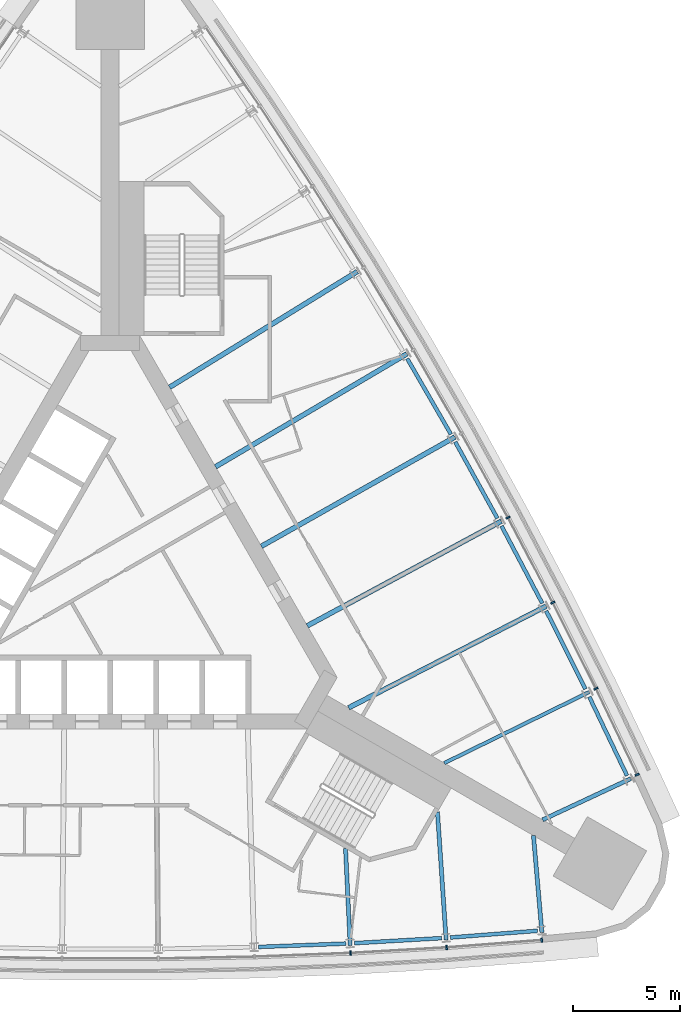
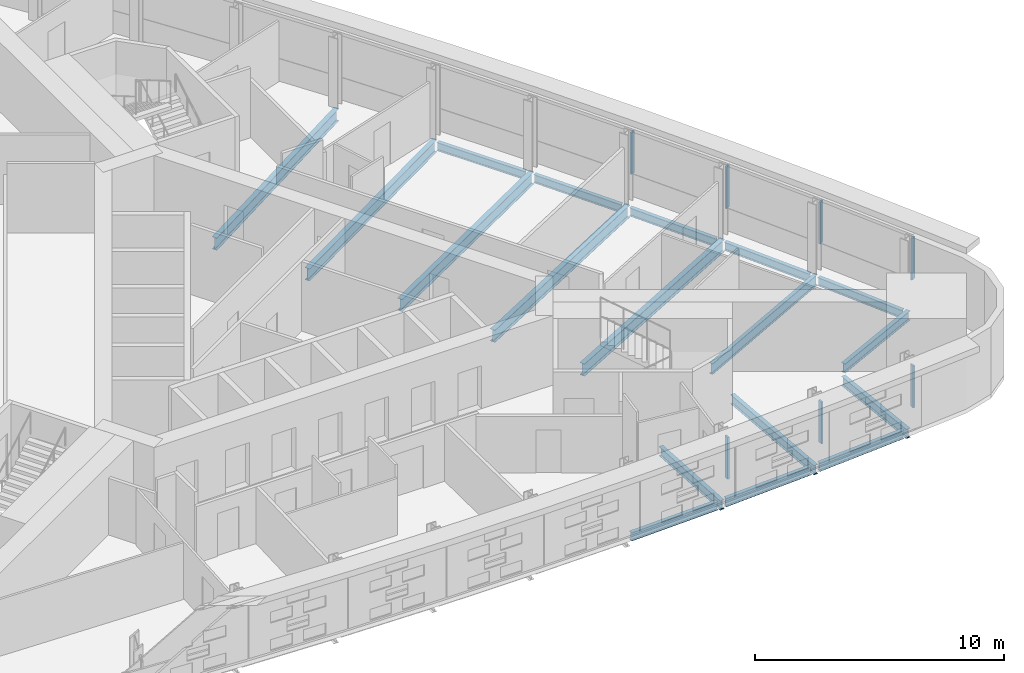
# One storey, part 5 of 14: 18 beams, 7 members, 2 elements without a shape of their own.
"""IFC4 building model written with IfcOpenShell, lengths in metres."""

from ifc_helpers import new_model, si_unit, direction, frame, origin, origin_2d, place, context, subcontext, project, spatial, rectangle, i_section, extrude, material, material_profile, profile_set, type_object, element, aggregate, save


model = new_model("IFC4")

# Units and contexts
model_context = context("Model", 3, precision=1e-05, world=origin(), true_north=direction((0.0, 1.0)))
body_context = subcontext(model_context, "Body", "Model", "MODEL_VIEW")
ifc_project = project(units=[si_unit("LENGTHUNIT", "METRE"), si_unit("AREAUNIT", "SQUARE_METRE"), si_unit("VOLUMEUNIT", "CUBIC_METRE"), si_unit("PLANEANGLEUNIT", "RADIAN"), si_unit("MASSUNIT", "GRAM", prefix="KILO")], contexts=[model_context])

# Site, building, storey
site_placement = place(None, origin())
site = spatial("IfcSite", under=ifc_project, at=site_placement, CompositionType="ELEMENT")
building_placement = place(site_placement, origin())
building = spatial("IfcBuilding", under=site, at=building_placement, Name="Noor Cloister Tower", CompositionType="ELEMENT")
storey_placement = place(building_placement, frame((0.0, 0.0, 72.60009765625)))
storey = spatial("IfcBuildingStorey", under=building, at=storey_placement, Name="L18", CompositionType="ELEMENT", Elevation=72.60009765625)

# Curtain wall, members
ifc_material_1 = material(Name="Aluminium 6063-T6 anodised", Category="aluminium")
curtain_wall_type = type_object("IfcCurtainWallType", Name="Ribbon curtain wall, lower tower CW1", PredefinedType="NOTDEFINED", material=ifc_material_1)
curtain_wall_1_placement = place(storey_placement, origin())
curtain_wall_1 = element("IfcCurtainWall", 1, at=curtain_wall_1_placement, inside=storey, type_object=curtain_wall_type, Name="CW1 L18 S run 2", PredefinedType="NOTDEFINED")
ifc_material_2 = material(Name="Aluminium 6063-T6 anodised", Category="aluminium")
ifc_material_profile_1 = material_profile(ifc_material_2, rectangle(XDim=0.199951171875, YDim=0.080078125, at=origin_2d()), Name="200 x 80 mullion")
ifc_profile_set_1 = profile_set([ifc_material_profile_1], Name="Aluminium 6063-T6 anodised")
member_type = type_object("IfcMemberType", Name="Mullion CW1 80 x 200", PredefinedType="MULLION", material=ifc_profile_set_1)
member_1_placement = place(storey_placement, frame((11.24072265625, -17.407958984375, 1.099853515625), z_axis=(0.0, 0.0, 1.0), x_axis=(-0.048212063221, 0.998837122338, 0.0)))
member_1 = element("IfcMember", 2, at=member_1_placement, type_object=member_type, Name="CW1 mullion 8", PredefinedType="MULLION", context=body_context, shape_type="SweptSolid", body=[
    extrude(rectangle(XDim=0.199951171875, YDim=0.080078125, at=origin_2d()), origin(), (0.0, 0.0, 1.0), 2.050048828125),
])
member_2_placement = place(storey_placement, frame((15.731201171875, -17.14794921875, 1.099853515625), z_axis=(0.0, 0.0, 1.0), x_axis=(-0.067471755101, 0.997721184632, 0.0)))
member_2 = element("IfcMember", 3, at=member_2_placement, type_object=member_type, Name="CW1 mullion 9", PredefinedType="MULLION", context=body_context, shape_type="SweptSolid", body=[
    extrude(rectangle(XDim=0.199951171875, YDim=0.080078125, at=origin_2d()), origin(), (0.0, 0.0, 1.0), 2.050048828125),
])
member_3_placement = place(storey_placement, frame((20.177001953125, -16.80419921875, 1.099853515625), z_axis=(0.0, 0.0, 1.0), x_axis=(-0.077092640523, 0.997023933904, 0.0)))
member_3 = element("IfcMember", 4, at=member_3_placement, type_object=member_type, Name="CW1 mullion 10", PredefinedType="MULLION", context=body_context, shape_type="SweptSolid", body=[
    extrude(rectangle(XDim=0.199951171875, YDim=0.080078125, at=origin_2d()), origin(), (0.0, 0.0, 1.0), 2.050048828125),
])
aggregate(curtain_wall_1, [member_1, member_2, member_3])

curtain_wall_2_placement = place(storey_placement, origin())
curtain_wall_2 = element("IfcCurtainWall", 5, at=curtain_wall_2_placement, inside=storey, type_object=curtain_wall_type, Name="CW1 L18 NE run 3", PredefinedType="NOTDEFINED")
member_4_placement = place(storey_placement, frame((24.641357421875, -9.07177734375, 1.099853515625), z_axis=(0.0, 0.0, 1.0), x_axis=(-0.901994375203, -0.431747781814, 0.0)))
member_4 = element("IfcMember", 6, at=member_4_placement, type_object=member_type, Name="CW1 mullion 1", PredefinedType="MULLION", context=body_context, shape_type="SweptSolid", body=[
    extrude(rectangle(XDim=0.199951171875, YDim=0.080078125, at=origin_2d()), origin(), (0.0, 0.0, 1.0), 2.050048828125),
])
member_5_placement = place(storey_placement, frame((22.716064453125, -5.0498046875, 1.099853515625), z_axis=(0.0, 0.0, 1.0), x_axis=(-0.897787769336, -0.440428338361, 0.0)))
member_5 = element("IfcMember", 7, at=member_5_placement, type_object=member_type, Name="CW1 mullion 2", PredefinedType="MULLION", context=body_context, shape_type="SweptSolid", body=[
    extrude(rectangle(XDim=0.199951171875, YDim=0.080078125, at=origin_2d()), origin(), (0.0, 0.0, 1.0), 2.050048828125),
])
member_6_placement = place(storey_placement, frame((20.6962890625, -1.03076171875, 1.099853515625), z_axis=(0.0, 0.0, 1.0), x_axis=(-0.889124353798, -0.45766568965, 0.0)))
member_6 = element("IfcMember", 8, at=member_6_placement, type_object=member_type, Name="CW1 mullion 3", PredefinedType="MULLION", context=body_context, shape_type="SweptSolid", body=[
    extrude(rectangle(XDim=0.199951171875, YDim=0.080078125, at=origin_2d()), origin(), (0.0, 0.0, 1.0), 2.050048828125),
])
member_7_placement = place(storey_placement, frame((18.59912109375, 2.948486328125, 1.099853515625), z_axis=(0.0, 0.0, 1.0), x_axis=(-0.880130014741, -0.474732721805, 0.0)))
member_7 = element("IfcMember", 9, at=member_7_placement, type_object=member_type, Name="CW1 mullion 4", PredefinedType="MULLION", context=body_context, shape_type="SweptSolid", body=[
    extrude(rectangle(XDim=0.199951171875, YDim=0.080078125, at=origin_2d()), origin(), (0.0, 0.0, 1.0), 2.050048828125),
])
aggregate(curtain_wall_2, [member_4, member_5, member_6, member_7])

# Beams
ifc_material_3 = material(Name="Steel ASTM A992 Gr 50", Category="steel")
ifc_material_profile_2 = material_profile(ifc_material_3, i_section(OverallWidth=0.19091796875, OverallDepth=0.45703125, WebThickness=0.009033203125, FlangeThickness=0.014404296875, FilletRadius=0.01025390625, at=origin_2d()), Name="W460x74")
ifc_profile_set_2 = profile_set([ifc_material_profile_2], Name="Steel ASTM A992 Gr 50")
beam_type_1 = type_object("IfcBeamType", Name="Radial beam W460x74", PredefinedType="BEAM", material=ifc_profile_set_2)
beam_1_placement = place(storey_placement, frame((11.223876953125, -17.055419921875, -0.4287109375), z_axis=(-0.048225987002, 0.998836450165, 0.0), x_axis=(-0.998836450165, -0.048225987002, 0.0)))
element("IfcBeam", 10, at=beam_1_placement, inside=storey, type_object=beam_type_1, Name="Radial beam S 08 L18", PredefinedType="BEAM", context=body_context, shape_type="SweptSolid", body=[
    extrude(i_section(OverallWidth=0.19091796875, OverallDepth=0.45703125, WebThickness=0.009033203125, FlangeThickness=0.014404296875, FilletRadius=0.01025390625, at=origin_2d()), origin(), (0.0, 0.0, 1.0), 4.546142578125),
])
beam_2_placement = place(storey_placement, frame((15.70751953125, -16.795654296875, -0.4287109375), z_axis=(-0.067491020736, 0.99771988159, 0.0), x_axis=(-0.99771988159, -0.067491020736, 0.0)))
element("IfcBeam", 11, at=beam_2_placement, inside=storey, type_object=beam_type_1, Name="Radial beam S 09 L18", PredefinedType="BEAM", context=body_context, shape_type="SweptSolid", body=[
    extrude(i_section(OverallWidth=0.19091796875, OverallDepth=0.45703125, WebThickness=0.009033203125, FlangeThickness=0.014404296875, FilletRadius=0.01025390625, at=origin_2d()), origin(), (0.0, 0.0, 1.0), 6.001220703125),
])
for number, where, z_axis, x_axis, name in (
    (12, (20.185302734375, -16.449462890625, -0.4287109375), (-0.08671760944, 0.996232932709, 0.0), (-0.996232932709, -0.08671760944, 0.0), "Radial beam S 10 L18"),
    (13, (24.33837890625, -9.25634765625, -0.4287109375), (-0.906124182133, -0.423011780632, 0.0), (0.423011780632, -0.906124182133, 0.0), "Radial beam NE 01 L18"),
):
    element("IfcBeam", number, at=place(storey_placement, frame(where, z_axis=z_axis, x_axis=x_axis)), inside=storey, type_object=beam_type_1, Name=name, PredefinedType="BEAM", context=body_context, shape_type="SweptSolid", body=[
        extrude(i_section(OverallWidth=0.19091796875, OverallDepth=0.45703125, WebThickness=0.009033203125, FlangeThickness=0.014404296875, FilletRadius=0.01025390625, at=origin_2d()), origin(), (0.0, 0.0, 1.0), 4.549560546875),
    ])
ifc_material_4 = material(Name="Steel ASTM A992 Gr 50", Category="steel")
ifc_material_profile_3 = material_profile(ifc_material_4, i_section(OverallWidth=0.166015625, OverallDepth=0.528076171875, WebThickness=0.009765625, FlangeThickness=0.013671875, FilletRadius=0.0126953125, at=origin_2d()), Name="W530x74")
ifc_profile_set_3 = profile_set([ifc_material_profile_3], Name="Steel ASTM A992 Gr 50")
beam_type_2 = type_object("IfcBeamType", Name="Radial beam W530x74", PredefinedType="BEAM", material=ifc_profile_set_3)
beam_3_placement = place(storey_placement, frame((22.399169921875, -5.205322265625, -0.464111328125), z_axis=(-0.897791582148, -0.440420566078, 0.0), x_axis=(0.440420566078, -0.897791582148, 0.0)))
element("IfcBeam", 14, at=beam_3_placement, inside=storey, type_object=beam_type_2, Name="Radial beam NE 02 L18", PredefinedType="BEAM", context=body_context, shape_type="SweptSolid", body=[
    extrude(i_section(OverallWidth=0.166015625, OverallDepth=0.528076171875, WebThickness=0.009765625, FlangeThickness=0.013671875, FilletRadius=0.0126953125, at=origin_2d()), origin(), (0.0, 0.0, 1.0), 7.54736328125),
])
ifc_material_5 = material(Name="Steel ASTM A992 Gr 50", Category="steel")
ifc_material_profile_4 = material_profile(ifc_material_5, i_section(OverallWidth=0.22802734375, OverallDepth=0.60205078125, WebThickness=0.010498046875, FlangeThickness=0.014892578125, FilletRadius=0.0126953125, at=origin_2d()), Name="W610x101")
ifc_profile_set_4 = profile_set([ifc_material_profile_4], Name="Steel ASTM A992 Gr 50")
beam_type_3 = type_object("IfcBeamType", Name="Radial beam W610x101", PredefinedType="BEAM", material=ifc_profile_set_4)
beam_4_placement = place(storey_placement, frame((20.38232421875, -1.1923828125, -0.5009765625), z_axis=(-0.889123572031, -0.457667208415, 0.0), x_axis=(0.457667208415, -0.889123572031, 0.0)))
element("IfcBeam", 15, at=beam_4_placement, inside=storey, type_object=beam_type_3, Name="Radial beam NE 03 L18", PredefinedType="BEAM", context=body_context, shape_type="SweptSolid", body=[
    extrude(i_section(OverallWidth=0.22802734375, OverallDepth=0.60205078125, WebThickness=0.010498046875, FlangeThickness=0.014892578125, FilletRadius=0.0126953125, at=origin_2d()), origin(), (0.0, 0.0, 1.0), 10.3857421875),
])
beam_5_placement = place(storey_placement, frame((18.28857421875, 2.78076171875, -0.5009765625), z_axis=(-0.880137671606, -0.474718526097, 0.0), x_axis=(0.474718526097, -0.880137671606, 0.0)))
element("IfcBeam", 16, at=beam_5_placement, inside=storey, type_object=beam_type_3, Name="Radial beam NE 04 L18", PredefinedType="BEAM", context=body_context, shape_type="SweptSolid", body=[
    extrude(i_section(OverallWidth=0.22802734375, OverallDepth=0.60205078125, WebThickness=0.010498046875, FlangeThickness=0.014892578125, FilletRadius=0.0126953125, at=origin_2d()), origin(), (0.0, 0.0, 1.0), 10.3046875),
])
beam_6_placement = place(storey_placement, frame((16.118408203125, 6.712890625, -0.5009765625), z_axis=(-0.870813111401, -0.491614203427, 0.0), x_axis=(0.491614203427, -0.870813111401, 0.0)))
element("IfcBeam", 17, at=beam_6_placement, inside=storey, type_object=beam_type_3, Name="Radial beam NE 05 L18", PredefinedType="BEAM", context=body_context, shape_type="SweptSolid", body=[
    extrude(i_section(OverallWidth=0.22802734375, OverallDepth=0.60205078125, WebThickness=0.010498046875, FlangeThickness=0.014892578125, FilletRadius=0.0126953125, at=origin_2d()), origin(), (0.0, 0.0, 1.0), 10.3876953125),
])
beam_7_placement = place(storey_placement, frame((13.872802734375, 10.6025390625, -0.5009765625), z_axis=(-0.861158045586, -0.508337309789, 0.0), x_axis=(0.508337309789, -0.861158045586, 0.0)))
element("IfcBeam", 18, at=beam_7_placement, inside=storey, type_object=beam_type_3, Name="Radial beam NE 06 L18", PredefinedType="BEAM", context=body_context, shape_type="SweptSolid", body=[
    extrude(i_section(OverallWidth=0.22802734375, OverallDepth=0.60205078125, WebThickness=0.010498046875, FlangeThickness=0.014892578125, FilletRadius=0.0126953125, at=origin_2d()), origin(), (0.0, 0.0, 1.0), 10.387939453125),
])
beam_8_placement = place(storey_placement, frame((11.552490234375, 14.44775390625, -0.5009765625), z_axis=(-0.851198388975, -0.524844074565, 0.0), x_axis=(0.524844074565, -0.851198388975, 0.0)))
element("IfcBeam", 19, at=beam_8_placement, inside=storey, type_object=beam_type_3, Name="Radial beam NE 07 L18", PredefinedType="BEAM", context=body_context, shape_type="SweptSolid", body=[
    extrude(i_section(OverallWidth=0.22802734375, OverallDepth=0.60205078125, WebThickness=0.010498046875, FlangeThickness=0.014892578125, FilletRadius=0.0126953125, at=origin_2d()), origin(), (0.0, 0.0, 1.0), 10.304931640625),
])
ifc_material_6 = material(Name="Steel ASTM A992 Gr 50", Category="steel")
ifc_material_profile_5 = material_profile(ifc_material_6, i_section(OverallWidth=0.177978515625, OverallDepth=0.406005859375, WebThickness=0.0078125, FlangeThickness=0.0126953125, FilletRadius=0.01025390625, at=origin_2d()), Name="W410x60")
ifc_profile_set_5 = profile_set([ifc_material_profile_5], Name="Steel ASTM A992 Gr 50")
beam_type_4 = type_object("IfcBeamType", Name="Spandrel beam W410x60", PredefinedType="SPANDREL", material=ifc_profile_set_5)
for number, where, z_axis, x_axis, name in (
    (20, (6.93505859375, -17.1240234375, -0.403076171875), (0.999254539372, 0.038605252822, 0.0), (-0.038605252822, 0.999254539372, 0.0), "Spandrel beam S 07 L18"),
    (21, (11.4208984375, -16.94677734375, -0.403076171875), (0.998328754654, 0.057790117076, 0.0), (-0.057790117076, 0.998328754654, 0.0), "Spandrel beam S 08 L18"),
):
    element("IfcBeam", number, at=place(storey_placement, frame(where, z_axis=z_axis, x_axis=x_axis)), inside=storey, type_object=beam_type_4, Name=name, PredefinedType="SPANDREL", context=body_context, shape_type="SweptSolid", body=[
        extrude(i_section(OverallWidth=0.177978515625, OverallDepth=0.406005859375, WebThickness=0.0078125, FlangeThickness=0.0126953125, FilletRadius=0.01025390625, at=origin_2d()), origin(), (0.0, 0.0, 1.0), 4.085205078125),
    ])
beam_9_placement = place(storey_placement, frame((15.90234375, -16.683349609375, -0.403076171875), z_axis=(0.997024176871, 0.077089498212, 0.0), x_axis=(-0.077089498212, 0.997024176871, 0.0)))
element("IfcBeam", 22, at=beam_9_placement, inside=storey, type_object=beam_type_4, Name="Spandrel beam S 09 L18", PredefinedType="SPANDREL", context=body_context, shape_type="SweptSolid", body=[
    extrude(i_section(OverallWidth=0.177978515625, OverallDepth=0.406005859375, WebThickness=0.0078125, FlangeThickness=0.0126953125, FilletRadius=0.01025390625, at=origin_2d()), origin(), (0.0, 0.0, 1.0), 4.08544921875),
])
for number, where, z_axis, x_axis, name in (
    (23, (24.1630859375, -9.114990234375, -0.403076171875), (-0.431728272915, 0.902003713055, 0.0), (-0.902003713055, -0.431728272915, 0.0), "Spandrel beam NE 01 L18"),
    (24, (22.221435546875, -5.0673828125, -0.403076171875), (-0.449101034205, 0.893480979694, 0.0), (-0.893480979694, -0.449101034205, 0.0), "Spandrel beam NE 02 L18"),
):
    element("IfcBeam", number, at=place(storey_placement, frame(where, z_axis=z_axis, x_axis=x_axis)), inside=storey, type_object=beam_type_4, Name=name, PredefinedType="SPANDREL", context=body_context, shape_type="SweptSolid", body=[
        extrude(i_section(OverallWidth=0.177978515625, OverallDepth=0.406005859375, WebThickness=0.0078125, FlangeThickness=0.0126953125, FilletRadius=0.01025390625, at=origin_2d()), origin(), (0.0, 0.0, 1.0), 4.085205078125),
    ])
beam_10_placement = place(storey_placement, frame((20.201904296875, -1.05810546875, -0.403076171875), z_axis=(-0.466187250384, 0.884686072898, 0.0), x_axis=(-0.884686072898, -0.466187250384, 0.0)))
element("IfcBeam", 25, at=beam_10_placement, inside=storey, type_object=beam_type_4, Name="Spandrel beam NE 03 L18", PredefinedType="SPANDREL", context=body_context, shape_type="SweptSolid", body=[
    extrude(i_section(OverallWidth=0.177978515625, OverallDepth=0.406005859375, WebThickness=0.0078125, FlangeThickness=0.0126953125, FilletRadius=0.01025390625, at=origin_2d()), origin(), (0.0, 0.0, 1.0), 4.08544921875),
])
beam_11_placement = place(storey_placement, frame((18.10546875, 2.91162109375, -0.403076171875), z_axis=(-0.483180030896, 0.875521020732, 0.0), x_axis=(-0.875521020732, -0.483180030896, 0.0)))
element("IfcBeam", 26, at=beam_11_placement, inside=storey, type_object=beam_type_4, Name="Spandrel beam NE 04 L18", PredefinedType="SPANDREL", context=body_context, shape_type="SweptSolid", body=[
    extrude(i_section(OverallWidth=0.177978515625, OverallDepth=0.406005859375, WebThickness=0.0078125, FlangeThickness=0.0126953125, FilletRadius=0.01025390625, at=origin_2d()), origin(), (0.0, 0.0, 1.0), 4.085205078125),
])
beam_12_placement = place(storey_placement, frame((15.932861328125, 6.840087890625, -0.403076171875), z_axis=(-0.500001788232, 0.866024371346, 0.0), x_axis=(-0.866024371346, -0.500001788232, 0.0)))
element("IfcBeam", 27, at=beam_12_placement, inside=storey, type_object=beam_type_4, Name="Spandrel beam NE 05 L18", PredefinedType="SPANDREL", context=body_context, shape_type="SweptSolid", body=[
    extrude(i_section(OverallWidth=0.177978515625, OverallDepth=0.406005859375, WebThickness=0.0078125, FlangeThickness=0.0126953125, FilletRadius=0.01025390625, at=origin_2d()), origin(), (0.0, 0.0, 1.0), 4.08544921875),
])

save(model, "model.ifc")
